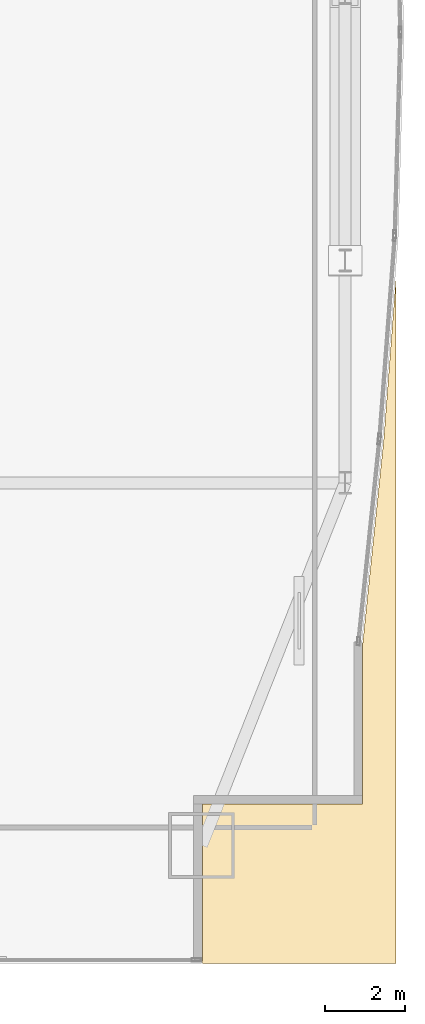
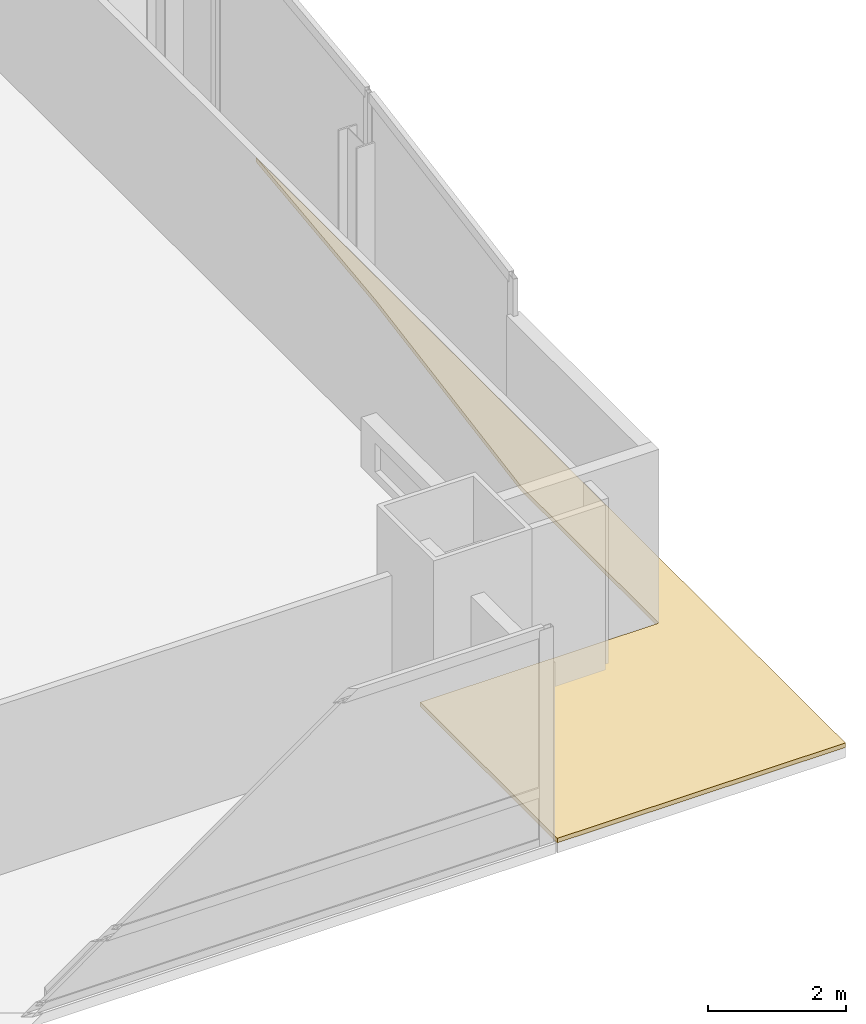
# One storey, part 35 of 35: 1 covering.
"""IFC4 building model written with IfcOpenShell, lengths in metres."""

from ifc_helpers import new_model, si_unit, direction, frame, origin, place, context, subcontext, project, spatial, polyline, outline, extrude, material, layer, layer_set, type_object, element, save


model = new_model("IFC4")

# Units and contexts
model_context = context("Model", 3, precision=1e-05, world=origin(), true_north=direction((0.0, 1.0)))
body_context = subcontext(model_context, "Body", "Model", "MODEL_VIEW")
ifc_project = project(units=[si_unit("LENGTHUNIT", "METRE"), si_unit("AREAUNIT", "SQUARE_METRE"), si_unit("VOLUMEUNIT", "CUBIC_METRE"), si_unit("PLANEANGLEUNIT", "RADIAN"), si_unit("MASSUNIT", "GRAM", prefix="KILO")], contexts=[model_context])

# Site, building, storey
site_placement = place(None, origin())
site = spatial("IfcSite", under=ifc_project, at=site_placement, CompositionType="ELEMENT")
building_placement = place(site_placement, origin())
building = spatial("IfcBuilding", under=site, at=building_placement, Name="Khoronbel Lancet Exchange", CompositionType="ELEMENT")
storey_placement = place(building_placement, frame((0.0, 0.0, 25.800048828125)))
storey = spatial("IfcBuildingStorey", under=building, at=storey_placement, Name="L05", CompositionType="ELEMENT", Elevation=25.800048828125)

# Covering
ifc_material = material(Name="Standing-Seam Bronze & SBS Waterproofing Assembly", Category="aluminium")
ifc_layer = layer(ifc_material, 0.080078125, Name="Standing-Seam Bronze & SBS Waterproofing Assembly")
ifc_layer_set = layer_set([ifc_layer], Name="Standing-Seam Bronze & SBS Waterproofing Assembly")
covering_type = type_object("IfcCoveringType", Name="COV-ROOF1", PredefinedType="ROOFING", material=ifc_layer_set)
covering_placement = place(storey_placement, origin())
element("IfcCovering", 1, at=covering_placement, inside=storey, type_object=covering_type, Name="Level L05 setback roof slab 2 insulated roofing assembly", PredefinedType="ROOFING", context=body_context, shape_type="SweptSolid", body=[
    extrude(outline(polyline([(68.070068359375, 7.199951171875), (68.070068359375, 11.179931640625), (72.050048828125, 11.179931640625), (72.052001953125, 11.18017578125), (72.053955078125, 11.180419921875), (72.055908203125, 11.180908203125), (72.0576171875, 11.181396484375), (72.059326171875, 11.182373046875), (72.06103515625, 11.183349609375), (72.062744140625, 11.1845703125), (72.064208984375, 11.185791015625), (72.0654296875, 11.187255859375), (72.066650390625, 11.18896484375), (72.067626953125, 11.190673828125), (72.068603515625, 11.1923828125), (72.069091796875, 11.194091796875), (72.069580078125, 11.196044921875), (72.06982421875, 11.197998046875), (72.070068359375, 11.199951171875), (72.070068359375, 15.198974609375), (72.594970703125, 20.28125), (72.594970703125, 20.28173828125), (72.89990234375, 24.31689453125), (72.89990234375, 7.199951171875), (68.070068359375, 7.199951171875)])), origin(), (0.0, 0.0, 1.0), 0.079833984375),
])

save(model, "model.ifc")
